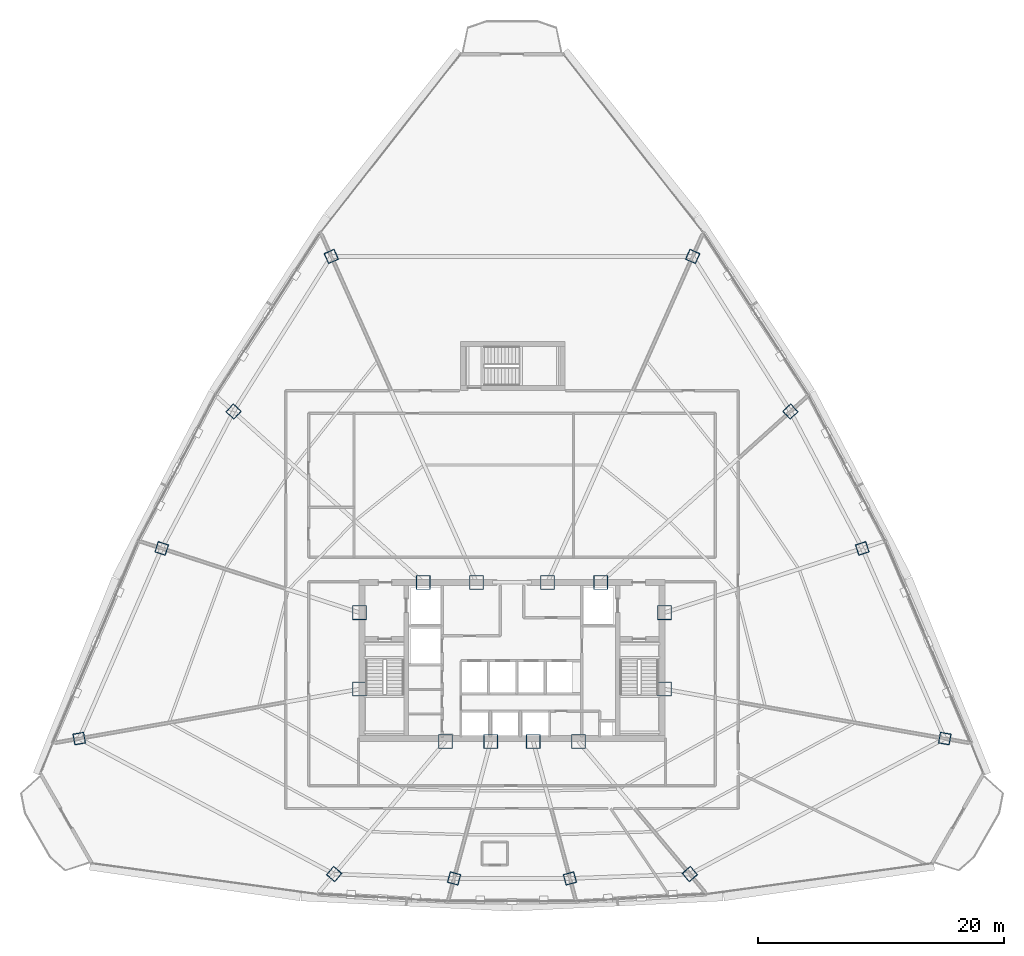
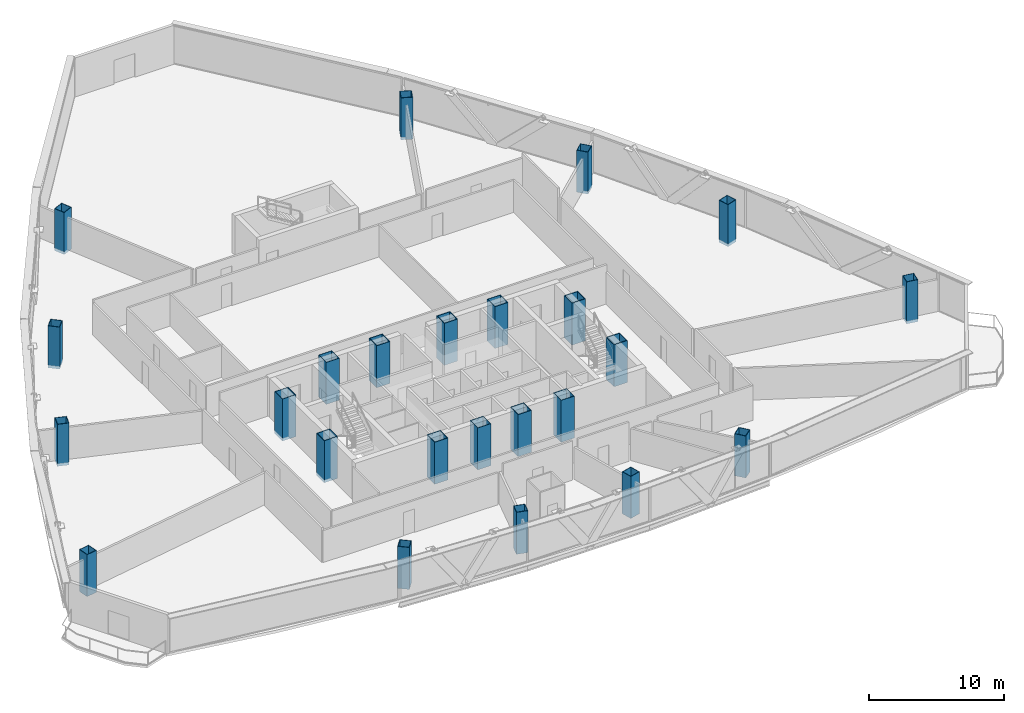
# One storey, part 1 of 37: 24 columns.
"""IFC4 building model written with IfcOpenShell, lengths in metres."""

from ifc_helpers import new_model, si_unit, direction, frame, origin, origin_2d, place, context, subcontext, project, spatial, hollow_rectangle, extrude, source, transform, mapped, material, material_profile, profile_set, type_object, element, save


model = new_model("IFC4")

# Units and contexts
model_context = context("Model", 3, precision=1e-05, world=origin(), true_north=direction((0.0, 1.0)))
body_context = subcontext(model_context, "Body", "Model", "MODEL_VIEW")
ifc_project = project(units=[si_unit("LENGTHUNIT", "METRE"), si_unit("AREAUNIT", "SQUARE_METRE"), si_unit("VOLUMEUNIT", "CUBIC_METRE"), si_unit("PLANEANGLEUNIT", "RADIAN"), si_unit("MASSUNIT", "GRAM", prefix="KILO"), si_unit("THERMODYNAMICTEMPERATUREUNIT", "KELVIN"), si_unit("POWERUNIT", "WATT")], contexts=[model_context])

# Site, building, storey
site_placement = place(None, origin())
site = spatial("IfcSite", under=ifc_project, at=site_placement, CompositionType="ELEMENT")
building_placement = place(site_placement, origin())
building = spatial("IfcBuilding", under=site, at=building_placement, Name="Yunzhuo Pagoda Commons", CompositionType="ELEMENT")
storey_placement = place(building_placement, frame((0.0, 0.0, 199.9599609375)))
storey = spatial("IfcBuildingStorey", under=building, at=storey_placement, Name="L50", CompositionType="ELEMENT", Elevation=199.9599609375)

# Columns
ifc_material = material(Name="Structural steel Q420B", Category="steel")
ifc_material_profile_1 = material_profile(ifc_material, hollow_rectangle(XDim=1.14990234375, YDim=1.14990234375, WallThickness=0.048095703125, at=origin_2d()), Name="Structural steel Q420B")
ifc_profile_set_1 = profile_set([ifc_material_profile_1], Name="Structural steel Q420B")
column_type_1 = type_object("IfcColumnType", Name="C-COR Column BOX 1150x1150x48", PredefinedType="COLUMN", material=ifc_profile_set_1)
shared_shape_1 = source(origin(), body_context, "Body", "SweptSolid", [
    extrude(hollow_rectangle(XDim=1.14990234375, YDim=1.14990234375, WallThickness=0.048095703125, at=origin_2d()), origin(), (0.0, 0.0, 1.0), 3.800048828125),
])
for number, where, z_axis, x_axis, name in (
    (1, (42.587890625, 27.25, -0.260009765625), (0.0, 0.0, 1.0), (1.0, 0.0, 0.0), "L50 core composite column F1C1"),
    (2, (46.27197265625, 27.25, -0.260009765625), (0.0, 0.0, 1.0), (1.0, 0.0, 0.0), "L50 core composite column F1C2"),
    (3, (49.728515625, 27.25, -0.260009765625), (0.0, 0.0, 1.0), (1.0, 0.0, 0.0), "L50 core composite column F1C3"),
    (4, (53.412109375, 27.25, -0.260009765625), (0.0, 0.0, 1.0), (1.0, 0.0, 0.0), "L50 core composite column F1C4"),
    (5, (60.39990234375, 31.513427734375, -0.260009765625), (0.0, 0.0, 1.0), (1.0, 0.0, 0.0), "L50 core composite column F2C1"),
    (6, (60.39990234375, 37.72900390625, -0.260009765625), (0.0, 0.0, 1.0), (1.0, 0.0, 0.0), "L50 core composite column F2C2"),
    (7, (55.218994140625, 40.199951171875, -0.260009765625), (0.0, 0.0, 1.0), (1.0, 0.0, 0.0), "L50 core composite column F2C3"),
    (8, (50.89404296875, 40.199951171875, -0.260009765625), (0.0, 0.0, 1.0), (1.0, 0.0, 0.0), "L50 core composite column F2C4"),
    (9, (45.10595703125, 40.199951171875, -0.260009765625), (0.0, 0.0, 1.0), (1.0, 0.0, 0.0), "L50 core composite column F3C1"),
    (10, (40.781005859375, 40.199951171875, -0.260009765625), (0.0, 0.0, 1.0), (1.0, 0.0, 0.0), "L50 core composite column F3C2"),
    (11, (35.60009765625, 37.72900390625, -0.260009765625), (0.0, 0.0, 1.0), (1.0, 0.0, 0.0), "L50 core composite column F3C3"),
    (12, (35.60009765625, 31.513427734375, -0.260009765625), (0.0, 0.0, 1.0), (1.0, 0.0, 0.0), "L50 core composite column F3C4"),
):
    element("IfcColumn", number, at=place(storey_placement, frame(where, z_axis=z_axis, x_axis=x_axis)), inside=storey, type_object=column_type_1, Name=name, PredefinedType="COLUMN", context=body_context, shape_type="MappedRepresentation", body=[
        mapped(shared_shape_1, transform((0.0, 0.0, 0.0), scale=1.0)),
    ])
ifc_material_profile_2 = material_profile(ifc_material, hollow_rectangle(XDim=0.89990234375, YDim=0.89990234375, WallThickness=0.035888671875, at=origin_2d()), Name="Structural steel Q420B")
ifc_profile_set_2 = profile_set([ifc_material_profile_2], Name="Structural steel Q420B")
column_type_2 = type_object("IfcColumnType", Name="C-Z4 Column BOX 900x900x36", PredefinedType="COLUMN", material=ifc_profile_set_2)
shared_shape_2 = source(origin(), body_context, "Body", "SweptSolid", [
    extrude(hollow_rectangle(XDim=0.89990234375, YDim=0.89990234375, WallThickness=0.035888671875, at=origin_2d()), origin(), (0.0, 0.0, 1.0), 3.800048828125),
])
for number, where, z_axis, x_axis, name in (
    (13, (33.538818359375, 16.4658203125, -0.260009765625), (0.0, 0.0, 1.0), (0.766044443119, -0.642787609687, 0.0), "L50 tower column F1C1"),
    (14, (43.28759765625, 16.1123046875, -0.260009765625), (0.0, 0.0, 1.0), (0.965925826289, -0.258819045103, 0.0), "L50 tower column F1C2"),
    (15, (52.712890625, 16.1123046875, -0.260009765625), (0.0, 0.0, 1.0), (0.965925826289, 0.258819045103, 0.0), "L50 tower column F1C3"),
    (16, (62.461181640625, 16.4658203125, -0.260009765625), (0.0, 0.0, 1.0), (0.766044443119, 0.642787609687, 0.0), "L50 tower column F1C4"),
    (17, (83.20654296875, 27.492431640625, -0.260009765625), (0.0, 0.0, 1.0), (0.173648177667, 0.984807753012, 0.0), "L50 tower column F2C1"),
    (18, (76.49462890625, 42.95849609375, -0.260009765625), (0.0, 0.0, 1.0), (-0.309016994375, 0.951056516295, 0.0), "L50 tower column F2C2"),
    (19, (70.650634765625, 54.0947265625, -0.260009765625), (0.0, 0.0, 1.0), (-0.669130606359, 0.743144825477, 0.0), "L50 tower column F2C3"),
    (20, (62.698974609375, 66.714599609375, -0.260009765625), (0.0, 0.0, 1.0), (-0.913545457643, 0.406736643076, 0.0), "L50 tower column F2C4"),
    (21, (33.301025390625, 66.714599609375, -0.260009765625), (0.0, 0.0, 1.0), (-0.913545457643, -0.406736643076, 0.0), "L50 tower column F3C1"),
    (22, (25.349365234375, 54.0947265625, -0.260009765625), (0.0, 0.0, 1.0), (-0.669130606359, -0.743144825477, 0.0), "L50 tower column F3C2"),
    (23, (19.50537109375, 42.95849609375, -0.260009765625), (0.0, 0.0, 1.0), (-0.309016994375, -0.951056516295, 0.0), "L50 tower column F3C3"),
    (24, (12.79345703125, 27.492431640625, -0.260009765625), (0.0, 0.0, 1.0), (0.173648177667, -0.984807753012, 0.0), "L50 tower column F3C4"),
):
    element("IfcColumn", number, at=place(storey_placement, frame(where, z_axis=z_axis, x_axis=x_axis)), inside=storey, type_object=column_type_2, Name=name, PredefinedType="COLUMN", context=body_context, shape_type="MappedRepresentation", body=[
        mapped(shared_shape_2, transform((0.0, 0.0, 0.0), scale=1.0)),
    ])

save(model, "model.ifc")
